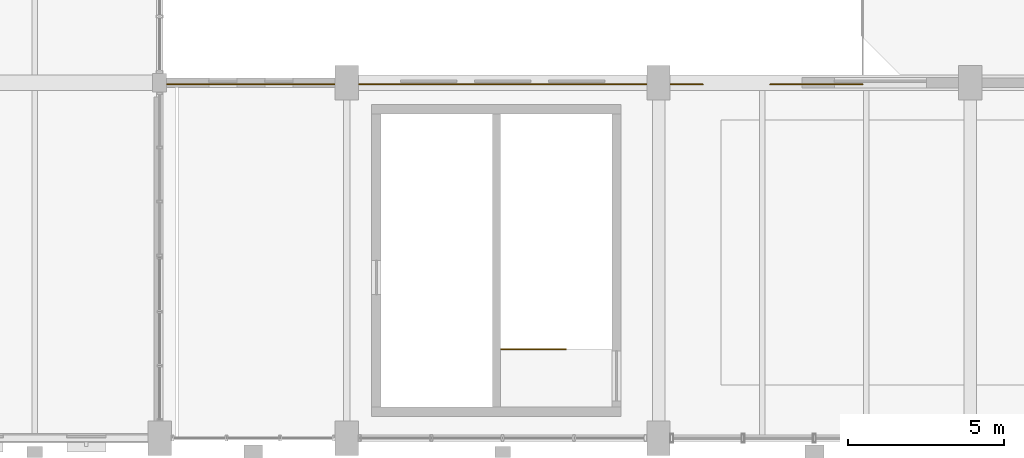
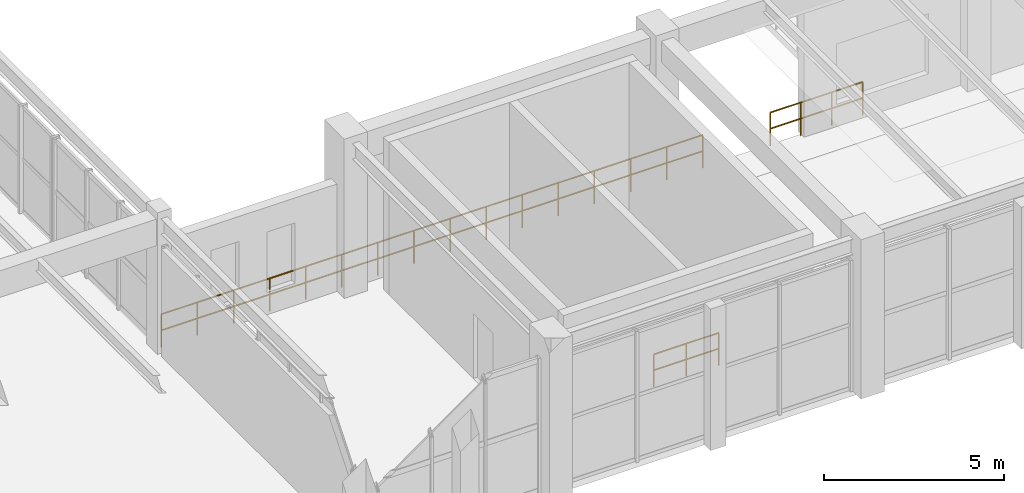
# One storey, part 97 of 106: 3 railings.
"""IFC4 building model written with IfcOpenShell, lengths in metres."""

from ifc_helpers import new_model, si_unit, direction, frame, origin, origin_2d, place, context, subcontext, project, spatial, circle, extrude, material, layer, layer_set, type_object, element, save


model = new_model("IFC4")

# Units and contexts
model_context = context("Model", 3, precision=1e-05, world=origin(), true_north=direction((0.0, 1.0)))
body_context = subcontext(model_context, "Body", "Model", "MODEL_VIEW")
ifc_project = project(units=[si_unit("LENGTHUNIT", "METRE"), si_unit("AREAUNIT", "SQUARE_METRE"), si_unit("VOLUMEUNIT", "CUBIC_METRE"), si_unit("PLANEANGLEUNIT", "RADIAN"), si_unit("MASSUNIT", "GRAM", prefix="KILO"), si_unit("POWERUNIT", "WATT"), si_unit("THERMODYNAMICTEMPERATUREUNIT", "KELVIN")], contexts=[model_context])

# Site, building, storey
site_placement = place(None, origin())
site = spatial("IfcSite", under=ifc_project, at=site_placement, CompositionType="ELEMENT")
building_placement = place(site_placement, origin())
building = spatial("IfcBuilding", under=site, at=building_placement, Name="Kelmbourne Parkland Aquatics Centre", CompositionType="ELEMENT")
storey_placement = place(building_placement, frame((0.0, 0.0, 5.39990234375)))
storey = spatial("IfcBuildingStorey", under=building, at=storey_placement, Name="L01", CompositionType="ELEMENT", Elevation=5.39990234375)

# Railings
ifc_material_1 = material(Name="Grade 316 stainless steel and laminated glass balustrade", Category="glass")
ifc_layer = layer(ifc_material_1, 0.06005859375)
ifc_layer_set = layer_set([ifc_layer], Name="Grade 316 stainless steel and laminated glass balustrade")
railing_type_1 = type_object("IfcRailingType", Name="RL-BL-114", PredefinedType="BALUSTRADE", material=ifc_layer_set)
railing_1_placement = place(storey_placement, frame((40.050048828125, 12.14990234375, 0.0)))
element("IfcRailing", 1, at=railing_1_placement, inside=storey, type_object=railing_type_1, Name="Safety balustrade BAL-V3-L01-NW", PredefinedType="BALUSTRADE", context=body_context, shape_type="SweptSolid", body=[
    extrude(circle(Radius=0.02392578125, at=origin_2d()), frame((0.0, 0.0, 1.11572265625), z_axis=(1.0, 0.0, 0.0), x_axis=(0.0, 1.0, 0.0)), (0.0, 0.0, 1.0), 17.369873046875),
    extrude(circle(Radius=0.02392578125, at=origin_2d()), frame((0.0, 0.0, 0.56982421875), z_axis=(1.0, 0.0, 0.0), x_axis=(0.0, 1.0, 0.0)), (0.0, 0.0, 1.0), 17.369873046875),
    extrude(circle(Radius=0.02099609375, at=origin_2d()), origin(), (0.0, 0.0, 1.0), 1.091796875),
    extrude(circle(Radius=0.02099609375, at=origin_2d()), frame((1.157958984375, 0.0, 0.0)), (0.0, 0.0, 1.0), 1.091796875),
    extrude(circle(Radius=0.02099609375, at=origin_2d()), frame((2.31591796875, 0.0, 0.0)), (0.0, 0.0, 1.0), 1.091796875),
    extrude(circle(Radius=0.02099609375, at=origin_2d()), frame((3.473876953125, 0.0, 0.0)), (0.0, 0.0, 1.0), 1.091796875),
    extrude(circle(Radius=0.02099609375, at=origin_2d()), frame((4.632080078125, 0.0, 0.0)), (0.0, 0.0, 1.0), 1.091796875),
    extrude(circle(Radius=0.02099609375, at=origin_2d()), frame((5.7900390625, 0.0, 0.0)), (0.0, 0.0, 1.0), 1.091796875),
    extrude(circle(Radius=0.02099609375, at=origin_2d()), frame((6.947998046875, 0.0, 0.0)), (0.0, 0.0, 1.0), 1.091796875),
    extrude(circle(Radius=0.02099609375, at=origin_2d()), frame((8.10595703125, 0.0, 0.0)), (0.0, 0.0, 1.0), 1.091796875),
    extrude(circle(Radius=0.02099609375, at=origin_2d()), frame((9.263916015625, 0.0, 0.0)), (0.0, 0.0, 1.0), 1.091796875),
    extrude(circle(Radius=0.02099609375, at=origin_2d()), frame((10.421875, 0.0, 0.0)), (0.0, 0.0, 1.0), 1.091796875),
    extrude(circle(Radius=0.02099609375, at=origin_2d()), frame((11.579833984375, 0.0, 0.0)), (0.0, 0.0, 1.0), 1.091796875),
    extrude(circle(Radius=0.02099609375, at=origin_2d()), frame((12.73779296875, 0.0, 0.0)), (0.0, 0.0, 1.0), 1.091796875),
    extrude(circle(Radius=0.02099609375, at=origin_2d()), frame((13.89599609375, 0.0, 0.0)), (0.0, 0.0, 1.0), 1.091796875),
    extrude(circle(Radius=0.02099609375, at=origin_2d()), frame((15.053955078125, 0.0, 0.0)), (0.0, 0.0, 1.0), 1.091796875),
    extrude(circle(Radius=0.02099609375, at=origin_2d()), frame((16.2119140625, 0.0, 0.0)), (0.0, 0.0, 1.0), 1.091796875),
    extrude(circle(Radius=0.02099609375, at=origin_2d()), frame((17.369873046875, 0.0, 0.0)), (0.0, 0.0, 1.0), 1.091796875),
])
railing_2_placement = place(storey_placement, frame((59.580078125, 12.14990234375, 0.0)))
element("IfcRailing", 2, at=railing_2_placement, inside=storey, type_object=railing_type_1, Name="Safety balustrade BAL-V3-L01-NE", PredefinedType="BALUSTRADE", context=body_context, shape_type="SweptSolid", body=[
    extrude(circle(Radius=0.02392578125, at=origin_2d()), frame((0.0, 0.0, 1.11572265625), z_axis=(1.0, 0.0, 0.0), x_axis=(0.0, 1.0, 0.0)), (0.0, 0.0, 1.0), 2.969970703125),
    extrude(circle(Radius=0.02392578125, at=origin_2d()), frame((0.0, 0.0, 0.56982421875), z_axis=(1.0, 0.0, 0.0), x_axis=(0.0, 1.0, 0.0)), (0.0, 0.0, 1.0), 2.969970703125),
    extrude(circle(Radius=0.02099609375, at=origin_2d()), origin(), (0.0, 0.0, 1.0), 1.091796875),
    extrude(circle(Radius=0.02099609375, at=origin_2d()), frame((0.989990234375, 0.0, 0.0)), (0.0, 0.0, 1.0), 1.091796875),
    extrude(circle(Radius=0.02099609375, at=origin_2d()), frame((1.97998046875, 0.0, 0.0)), (0.0, 0.0, 1.0), 1.091796875),
    extrude(circle(Radius=0.02099609375, at=origin_2d()), frame((2.969970703125, 0.0, 0.0)), (0.0, 0.0, 1.0), 1.091796875),
])
ifc_material_2 = material(Name="Grade 316 marine stainless steel", Category="steel")
railing_type_2 = type_object("IfcRailingType", Name="RL-GD-112", PredefinedType="GUARDRAIL", material=ifc_material_2)
railing_3_placement = place(storey_placement, frame((50.945068359375, 3.64990234375, 0.0)))
element("IfcRailing", 3, at=railing_3_placement, inside=storey, type_object=railing_type_2, Name="South Entrance Foyer Gallery Core Stair ST03 top well guardrail", PredefinedType="GUARDRAIL", context=body_context, shape_type="SweptSolid", body=[
    extrude(circle(Radius=0.02392578125, at=origin_2d()), frame((0.0, 0.0, 1.09619140625), z_axis=(1.0, 0.0, 0.0), x_axis=(0.0, 1.0, 0.0)), (0.0, 0.0, 1.0), 2.0849609375),
    extrude(circle(Radius=0.02392578125, at=origin_2d()), frame((0.0, 0.0, 0.56005859375), z_axis=(1.0, 0.0, 0.0), x_axis=(0.0, 1.0, 0.0)), (0.0, 0.0, 1.0), 2.0849609375),
    extrude(circle(Radius=0.02099609375, at=origin_2d()), origin(), (0.0, 0.0, 1.0), 1.072021484375),
    extrude(circle(Radius=0.02099609375, at=origin_2d()), frame((1.04248046875, 0.0, 0.0)), (0.0, 0.0, 1.0), 1.072021484375),
    extrude(circle(Radius=0.02099609375, at=origin_2d()), frame((2.0849609375, 0.0, 0.0)), (0.0, 0.0, 1.0), 1.072021484375),
])

save(model, "model.ifc")
